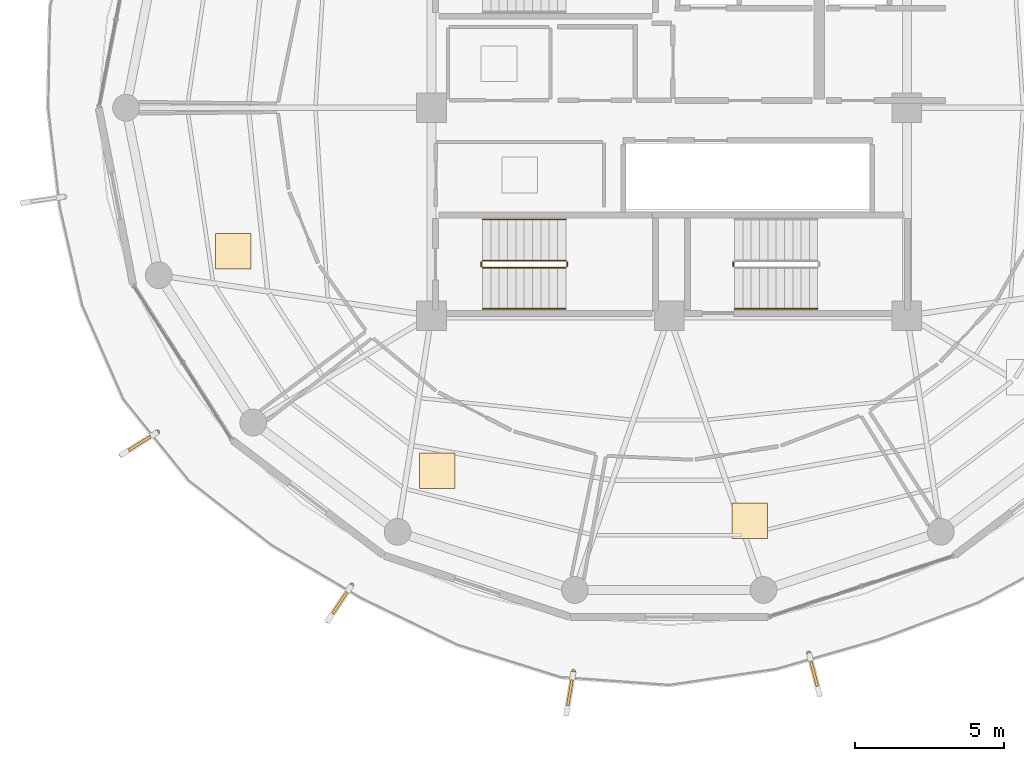
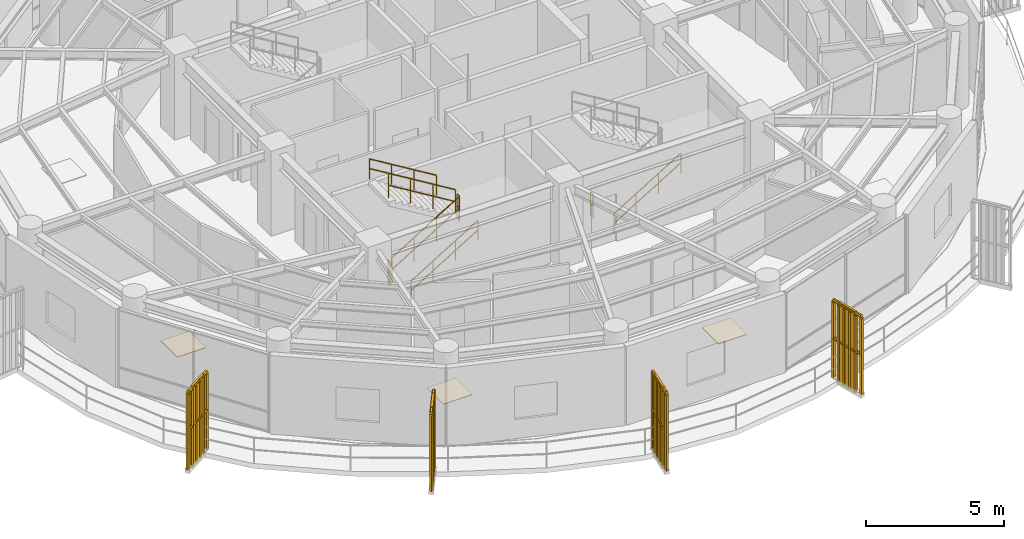
# One storey, part 19 of 22: 12 railings, 4 shading devices, 3 coverings.
"""IFC4 building model written with IfcOpenShell, lengths in metres."""

from ifc_helpers import new_model, si_unit, direction, frame, origin, origin_2d, place, context, subcontext, project, spatial, polyline, rectangle, outline, extrude, source, transform, mapped, material, layer, layer_set, type_object, element, save


model = new_model("IFC4")

# Units and contexts
model_context = context("Model", 3, precision=1e-05, world=origin(), true_north=direction((0.0, 1.0)))
body_context = subcontext(model_context, "Body", "Model", "MODEL_VIEW")
ifc_project = project(units=[si_unit("LENGTHUNIT", "METRE"), si_unit("AREAUNIT", "SQUARE_METRE"), si_unit("VOLUMEUNIT", "CUBIC_METRE"), si_unit("PLANEANGLEUNIT", "RADIAN"), si_unit("MASSUNIT", "GRAM", prefix="KILO")], contexts=[model_context])

# Site, building, storey
site_placement = place(None, origin())
site = spatial("IfcSite", under=ifc_project, at=site_placement, CompositionType="ELEMENT")
building_placement = place(site_placement, origin())
building = spatial("IfcBuilding", under=site, at=building_placement, Name="Kelanora Arch Commons", CompositionType="ELEMENT")
storey_placement = place(building_placement, frame((0.0, 0.0, 263.699951171875)))
storey = spatial("IfcBuildingStorey", under=building, at=storey_placement, Name="L67", CompositionType="ELEMENT", Elevation=263.699951171875)

# Railings
ifc_material_1 = material(Name="Anodised bronze vertical shading fin rib assembly")
railing_type_1 = type_object("IfcRailingType", Name="RAIL-FIN-BRZ", PredefinedType="BALUSTRADE", material=ifc_material_1)
railing_1_placement = place(storey_placement, frame((56.7861328125, 47.089599609375, -0.02001953125)))
element("IfcRailing", 1, at=railing_1_placement, inside=storey, type_object=railing_type_1, Name="Sweeping Bronze Vertical Fin Blade L67-10", PredefinedType="BALUSTRADE", context=body_context, shape_type="SweptSolid", body=[
    extrude(outline(polyline([(0.06982421875, 0.0), (0.034912109375, 0.060546875), (-0.034912109375, 0.060546875), (-0.06982421875, 0.0), (-0.034912109375, -0.060546875), (0.034912109375, -0.060546875), (0.06982421875, 0.0)])), frame((0.0, 0.0, 3.419921875), z_axis=(-0.844653752886, -0.535313027803, 0.0), x_axis=(0.535313027803, -0.844653752886, 0.0)), (0.0, 0.0, 1.0), 1.44677734375),
    extrude(outline(polyline([(0.06982421875, 0.0), (0.034912109375, 0.060546875), (-0.034912109375, 0.060546875), (-0.06982421875, 0.0), (-0.034912109375, -0.060546875), (0.034912109375, -0.060546875), (0.06982421875, 0.0)])), frame((0.0, 0.0, 1.7451171875), z_axis=(-0.844653752886, -0.535313027803, 0.0), x_axis=(0.535313027803, -0.844653752886, 0.0)), (0.0, 0.0, 1.0), 1.44677734375),
    extrude(outline(polyline([(0.080078125, 0.0), (0.0400390625, 0.0693359375), (-0.0400390625, 0.0693359375), (-0.080078125, 0.0), (-0.0400390625, -0.0693359375), (0.0400390625, -0.0693359375), (0.080078125, 0.0)])), origin(), (0.0, 0.0, 1.0), 3.35009765625),
    extrude(outline(polyline([(0.080078125, 0.0), (0.0400390625, 0.0693359375), (-0.0400390625, 0.0693359375), (-0.080078125, 0.0), (-0.0400390625, -0.0693359375), (0.0400390625, -0.0693359375), (0.080078125, 0.0)])), frame((-0.244384765625, -0.15478515625, 0.0)), (0.0, 0.0, 1.0), 3.35009765625),
    extrude(outline(polyline([(0.080078125, 0.0), (0.0400390625, 0.0693359375), (-0.0400390625, 0.0693359375), (-0.080078125, 0.0), (-0.0400390625, -0.0693359375), (0.0400390625, -0.0693359375), (0.080078125, 0.0)])), frame((-0.48876953125, -0.309814453125, 0.0)), (0.0, 0.0, 1.0), 3.35009765625),
    extrude(outline(polyline([(0.080078125, 0.0), (0.0400390625, 0.0693359375), (-0.0400390625, 0.0693359375), (-0.080078125, 0.0), (-0.0400390625, -0.0693359375), (0.0400390625, -0.0693359375), (0.080078125, 0.0)])), frame((-0.733154296875, -0.464599609375, 0.0)), (0.0, 0.0, 1.0), 3.35009765625),
    extrude(outline(polyline([(0.080078125, 0.0), (0.0400390625, 0.0693359375), (-0.0400390625, 0.0693359375), (-0.080078125, 0.0), (-0.0400390625, -0.0693359375), (0.0400390625, -0.0693359375), (0.080078125, 0.0)])), frame((-0.9775390625, -0.61962890625, 0.0)), (0.0, 0.0, 1.0), 3.35009765625),
    extrude(outline(polyline([(0.080078125, 0.0), (0.0400390625, 0.0693359375), (-0.0400390625, 0.0693359375), (-0.080078125, 0.0), (-0.0400390625, -0.0693359375), (0.0400390625, -0.0693359375), (0.080078125, 0.0)])), frame((-1.221923828125, -0.7744140625, 0.0)), (0.0, 0.0, 1.0), 3.35009765625),
])
railing_2_placement = place(storey_placement, frame((63.314453125, 41.93701171875, -0.02001953125)))
element("IfcRailing", 2, at=railing_2_placement, inside=storey, type_object=railing_type_1, Name="Sweeping Bronze Vertical Fin Blade L67-11", PredefinedType="BALUSTRADE", context=body_context, shape_type="SweptSolid", body=[
    extrude(outline(polyline([(0.06982421875, 0.0), (0.034912109375, 0.060546875), (-0.034912109375, 0.060546875), (-0.06982421875, 0.0), (-0.034912109375, -0.060546875), (0.034912109375, -0.060546875), (0.06982421875, 0.0)])), frame((0.0, 0.0, 3.419921875), z_axis=(-0.553843162643, -0.832621012943, 0.0), x_axis=(0.832621012943, -0.553843162643, 0.0)), (0.0, 0.0, 1.0), 1.44677734375),
    extrude(outline(polyline([(0.06982421875, 0.0), (0.034912109375, 0.060546875), (-0.034912109375, 0.060546875), (-0.06982421875, 0.0), (-0.034912109375, -0.060546875), (0.034912109375, -0.060546875), (0.06982421875, 0.0)])), frame((0.0, 0.0, 1.7451171875), z_axis=(-0.553843162643, -0.832621012943, 0.0), x_axis=(0.832621012943, -0.553843162643, 0.0)), (0.0, 0.0, 1.0), 1.44677734375),
    extrude(outline(polyline([(0.080078125, 0.0), (0.0400390625, 0.0693359375), (-0.0400390625, 0.0693359375), (-0.080078125, 0.0), (-0.0400390625, -0.0693359375), (0.0400390625, -0.0693359375), (0.080078125, 0.0)])), origin(), (0.0, 0.0, 1.0), 3.35009765625),
    extrude(outline(polyline([(0.080078125, 0.0), (0.0400390625, 0.0693359375), (-0.0400390625, 0.0693359375), (-0.080078125, 0.0), (-0.0400390625, -0.0693359375), (0.0400390625, -0.0693359375), (0.080078125, 0.0)])), frame((-0.16015625, -0.240966796875, 0.0)), (0.0, 0.0, 1.0), 3.35009765625),
    extrude(outline(polyline([(0.080078125, 0.0), (0.0400390625, 0.0693359375), (-0.0400390625, 0.0693359375), (-0.080078125, 0.0), (-0.0400390625, -0.0693359375), (0.0400390625, -0.0693359375), (0.080078125, 0.0)])), frame((-0.320556640625, -0.48193359375, 0.0)), (0.0, 0.0, 1.0), 3.35009765625),
    extrude(outline(polyline([(0.080078125, 0.0), (0.0400390625, 0.0693359375), (-0.0400390625, 0.0693359375), (-0.080078125, 0.0), (-0.0400390625, -0.0693359375), (0.0400390625, -0.0693359375), (0.080078125, 0.0)])), frame((-0.480712890625, -0.72265625, 0.0)), (0.0, 0.0, 1.0), 3.35009765625),
    extrude(outline(polyline([(0.080078125, 0.0), (0.0400390625, 0.0693359375), (-0.0400390625, 0.0693359375), (-0.080078125, 0.0), (-0.0400390625, -0.0693359375), (0.0400390625, -0.0693359375), (0.080078125, 0.0)])), frame((-0.64111328125, -0.963623046875, 0.0)), (0.0, 0.0, 1.0), 3.35009765625),
    extrude(outline(polyline([(0.080078125, 0.0), (0.0400390625, 0.0693359375), (-0.0400390625, 0.0693359375), (-0.080078125, 0.0), (-0.0400390625, -0.0693359375), (0.0400390625, -0.0693359375), (0.080078125, 0.0)])), frame((-0.80126953125, -1.20458984375, 0.0)), (0.0, 0.0, 1.0), 3.35009765625),
])
railing_3_placement = place(storey_placement, frame((70.77880859375, 39.021728515625, -0.02001953125)))
element("IfcRailing", 3, at=railing_3_placement, inside=storey, type_object=railing_type_1, Name="Sweeping Bronze Vertical Fin Blade L67-12", PredefinedType="BALUSTRADE", context=body_context, shape_type="SweptSolid", body=[
    extrude(outline(polyline([(0.06982421875, 0.0), (0.034912109375, 0.060546875), (-0.034912109375, 0.060546875), (-0.06982421875, 0.0), (-0.034912109375, -0.060546875), (0.034912109375, -0.060546875), (0.06982421875, 0.0)])), frame((0.0, 0.0, 3.419921875), z_axis=(-0.167244473926, -0.985915455778, 0.0), x_axis=(0.985915455778, -0.167244473926, 0.0)), (0.0, 0.0, 1.0), 1.446533203125),
    extrude(outline(polyline([(0.06982421875, 0.0), (0.034912109375, 0.060546875), (-0.034912109375, 0.060546875), (-0.06982421875, 0.0), (-0.034912109375, -0.060546875), (0.034912109375, -0.060546875), (0.06982421875, 0.0)])), frame((0.0, 0.0, 1.7451171875), z_axis=(-0.167244473926, -0.985915455778, 0.0), x_axis=(0.985915455778, -0.167244473926, 0.0)), (0.0, 0.0, 1.0), 1.446533203125),
    extrude(outline(polyline([(0.080078125, 0.0), (0.0400390625, 0.0693359375), (-0.0400390625, 0.0693359375), (-0.080078125, 0.0), (-0.0400390625, -0.0693359375), (0.0400390625, -0.0693359375), (0.080078125, 0.0)])), origin(), (0.0, 0.0, 1.0), 3.35009765625),
    extrude(outline(polyline([(0.080078125, 0.0), (0.0400390625, 0.0693359375), (-0.0400390625, 0.0693359375), (-0.080078125, 0.0), (-0.0400390625, -0.0693359375), (0.0400390625, -0.0693359375), (0.080078125, 0.0)])), frame((-0.04833984375, -0.28515625, 0.0)), (0.0, 0.0, 1.0), 3.35009765625),
    extrude(outline(polyline([(0.080078125, 0.0), (0.0400390625, 0.0693359375), (-0.0400390625, 0.0693359375), (-0.080078125, 0.0), (-0.0400390625, -0.0693359375), (0.0400390625, -0.0693359375), (0.080078125, 0.0)])), frame((-0.0966796875, -0.570556640625, 0.0)), (0.0, 0.0, 1.0), 3.35009765625),
    extrude(outline(polyline([(0.080078125, 0.0), (0.0400390625, 0.0693359375), (-0.0400390625, 0.0693359375), (-0.080078125, 0.0), (-0.0400390625, -0.0693359375), (0.0400390625, -0.0693359375), (0.080078125, 0.0)])), frame((-0.145263671875, -0.855712890625, 0.0)), (0.0, 0.0, 1.0), 3.35009765625),
    extrude(outline(polyline([(0.080078125, 0.0), (0.0400390625, 0.0693359375), (-0.0400390625, 0.0693359375), (-0.080078125, 0.0), (-0.0400390625, -0.0693359375), (0.0400390625, -0.0693359375), (0.080078125, 0.0)])), frame((-0.193603515625, -1.14111328125, 0.0)), (0.0, 0.0, 1.0), 3.35009765625),
    extrude(outline(polyline([(0.080078125, 0.0), (0.0400390625, 0.0693359375), (-0.0400390625, 0.0693359375), (-0.080078125, 0.0), (-0.0400390625, -0.0693359375), (0.0400390625, -0.0693359375), (0.080078125, 0.0)])), frame((-0.241943359375, -1.42626953125, 0.0)), (0.0, 0.0, 1.0), 3.35009765625),
])
railing_4_placement = place(storey_placement, frame((78.7001953125, 39.650146484375, -0.02001953125)))
element("IfcRailing", 4, at=railing_4_placement, inside=storey, type_object=railing_type_1, Name="Sweeping Bronze Vertical Fin Blade L67-13", PredefinedType="BALUSTRADE", context=body_context, shape_type="SweptSolid", body=[
    extrude(outline(polyline([(0.06982421875, 0.0), (0.034912109375, 0.060546875), (-0.034912109375, 0.060546875), (-0.06982421875, 0.0), (-0.034912109375, -0.060546875), (0.034912109375, -0.060546875), (0.06982421875, 0.0)])), frame((0.0, 0.0, 3.419921875), z_axis=(0.248050552444, -0.968747089509, 0.0), x_axis=(0.968747089509, 0.248050552444, 0.0)), (0.0, 0.0, 1.0), 1.44677734375),
    extrude(outline(polyline([(0.06982421875, 0.0), (0.034912109375, 0.060546875), (-0.034912109375, 0.060546875), (-0.06982421875, 0.0), (-0.034912109375, -0.060546875), (0.034912109375, -0.060546875), (0.06982421875, 0.0)])), frame((0.0, 0.0, 1.7451171875), z_axis=(0.248050552444, -0.968747089509, 0.0), x_axis=(0.968747089509, 0.248050552444, 0.0)), (0.0, 0.0, 1.0), 1.44677734375),
    extrude(outline(polyline([(0.080078125, 0.0), (0.0400390625, 0.0693359375), (-0.0400390625, 0.0693359375), (-0.080078125, 0.0), (-0.0400390625, -0.0693359375), (0.0400390625, -0.0693359375), (0.080078125, 0.0)])), origin(), (0.0, 0.0, 1.0), 3.35009765625),
    extrude(outline(polyline([(0.080078125, 0.0), (0.0400390625, 0.0693359375), (-0.0400390625, 0.0693359375), (-0.080078125, 0.0), (-0.0400390625, -0.0693359375), (0.0400390625, -0.0693359375), (0.080078125, 0.0)])), frame((0.07177734375, -0.2802734375, 0.0)), (0.0, 0.0, 1.0), 3.35009765625),
    extrude(outline(polyline([(0.080078125, 0.0), (0.0400390625, 0.0693359375), (-0.0400390625, 0.0693359375), (-0.080078125, 0.0), (-0.0400390625, -0.0693359375), (0.0400390625, -0.0693359375), (0.080078125, 0.0)])), frame((0.1435546875, -0.560546875, 0.0)), (0.0, 0.0, 1.0), 3.35009765625),
    extrude(outline(polyline([(0.080078125, 0.0), (0.0400390625, 0.0693359375), (-0.0400390625, 0.0693359375), (-0.080078125, 0.0), (-0.0400390625, -0.0693359375), (0.0400390625, -0.0693359375), (0.080078125, 0.0)])), frame((0.21533203125, -0.841064453125, 0.0)), (0.0, 0.0, 1.0), 3.35009765625),
    extrude(outline(polyline([(0.080078125, 0.0), (0.0400390625, 0.0693359375), (-0.0400390625, 0.0693359375), (-0.080078125, 0.0), (-0.0400390625, -0.0693359375), (0.0400390625, -0.0693359375), (0.080078125, 0.0)])), frame((0.287109375, -1.121337890625, 0.0)), (0.0, 0.0, 1.0), 3.35009765625),
    extrude(outline(polyline([(0.080078125, 0.0), (0.0400390625, 0.0693359375), (-0.0400390625, 0.0693359375), (-0.080078125, 0.0), (-0.0400390625, -0.0693359375), (0.0400390625, -0.0693359375), (0.080078125, 0.0)])), frame((0.35888671875, -1.401611328125, 0.0)), (0.0, 0.0, 1.0), 3.35009765625),
])
ifc_material_2 = material(Name="Painted steel stair well guard", Category="steel")
railing_type_2 = type_object("IfcRailingType", Name="RAIL-STAIR-GRD", PredefinedType="GUARDRAIL", material=ifc_material_2)
railing_5_placement = place(storey_placement, frame((76.14990234375, 52.659912109375, 0.0)))
element("IfcRailing", 5, at=railing_5_placement, inside=storey, type_object=railing_type_2, Name="L67 ST-T2 stair guard 4", PredefinedType="GUARDRAIL", context=body_context, shape_type="SweptSolid", body=[
    extrude(outline(polyline([(0.02392578125, 0.0), (0.011962890625, 0.020751953125), (-0.011962890625, 0.020751953125), (-0.02392578125, 0.0), (-0.011962890625, -0.020751953125), (0.011962890625, -0.020751953125), (0.02392578125, 0.0)])), frame((0.0, 0.0, 1.076171875), z_axis=(0.0, 1.0, 0.0), x_axis=(-1.0, 0.0, 0.0)), (0.0, 0.0, 1.0), 0.150146484375),
    extrude(outline(polyline([(0.02392578125, 0.0), (0.011962890625, 0.020751953125), (-0.011962890625, 0.020751953125), (-0.02392578125, 0.0), (-0.011962890625, -0.020751953125), (0.011962890625, -0.020751953125), (0.02392578125, 0.0)])), frame((0.0, 0.0, 0.550048828125), z_axis=(0.0, 1.0, 0.0), x_axis=(-1.0, 0.0, 0.0)), (0.0, 0.0, 1.0), 0.150146484375),
    extrude(outline(polyline([(0.02099609375, 0.0), (0.010498046875, 0.01806640625), (-0.010498046875, 0.01806640625), (-0.02099609375, 0.0), (-0.010498046875, -0.01806640625), (0.010498046875, -0.01806640625), (0.02099609375, 0.0)])), origin(), (0.0, 0.0, 1.0), 1.052001953125),
    extrude(outline(polyline([(0.02099609375, 0.0), (0.010498046875, 0.01806640625), (-0.010498046875, 0.01806640625), (-0.02099609375, 0.0), (-0.010498046875, -0.01806640625), (0.010498046875, -0.01806640625), (0.02099609375, 0.0)])), frame((0.0, 0.150146484375, 0.0)), (0.0, 0.0, 1.0), 1.052001953125),
])
railing_6_placement = place(storey_placement, frame((67.719970703125, 52.610107421875, 0.17041015625)))
element("IfcRailing", 6, at=railing_6_placement, inside=storey, type_object=railing_type_2, Name="L67 ST-T3 stair guard 1", PredefinedType="GUARDRAIL", context=body_context, shape_type="SweptSolid", body=[
    extrude(outline(polyline([(0.02392578125, 0.0), (0.011962890625, 0.020751953125), (-0.011962890625, 0.020751953125), (-0.02392578125, 0.0), (-0.011962890625, -0.020751953125), (0.011962890625, -0.020751953125), (0.02392578125, 0.0)])), frame((0.0, 0.0, 1.076171875), z_axis=(0.854169791009, 0.0, 0.51999420009), x_axis=(0.0, 1.0, 0.0)), (0.0, 0.0, 1.0), 3.278076171875),
    extrude(outline(polyline([(0.02392578125, 0.0), (0.011962890625, 0.020751953125), (-0.011962890625, 0.020751953125), (-0.02392578125, 0.0), (-0.011962890625, -0.020751953125), (0.011962890625, -0.020751953125), (0.02392578125, 0.0)])), frame((0.0, 0.0, 0.550048828125), z_axis=(0.854169791009, 0.0, 0.51999420009), x_axis=(0.0, 1.0, 0.0)), (0.0, 0.0, 1.0), 3.278076171875),
    extrude(outline(polyline([(0.02099609375, 0.0), (0.010498046875, 0.01806640625), (-0.010498046875, 0.01806640625), (-0.02099609375, 0.0), (-0.010498046875, -0.01806640625), (0.010498046875, -0.01806640625), (0.02099609375, 0.0)])), origin(), (0.0, 0.0, 1.0), 1.052001953125),
    extrude(outline(polyline([(0.02099609375, 0.0), (0.010498046875, 0.01806640625), (-0.010498046875, 0.01806640625), (-0.02099609375, 0.0), (-0.010498046875, -0.01806640625), (0.010498046875, -0.01806640625), (0.02099609375, 0.0)])), frame((0.933349609375, 0.0, 0.568115234375)), (0.0, 0.0, 1.0), 1.052001953125),
    extrude(outline(polyline([(0.02099609375, 0.0), (0.010498046875, 0.01806640625), (-0.010498046875, 0.01806640625), (-0.02099609375, 0.0), (-0.010498046875, -0.01806640625), (0.010498046875, -0.01806640625), (0.02099609375, 0.0)])), frame((1.86669921875, 0.0, 1.136474609375)), (0.0, 0.0, 1.0), 1.052001953125),
    extrude(outline(polyline([(0.02099609375, 0.0), (0.010498046875, 0.01806640625), (-0.010498046875, 0.01806640625), (-0.02099609375, 0.0), (-0.010498046875, -0.01806640625), (0.010498046875, -0.01806640625), (0.02099609375, 0.0)])), frame((2.800048828125, 0.0, 1.70458984375)), (0.0, 0.0, 1.0), 1.052001953125),
])
railing_7_placement = place(storey_placement, frame((70.570068359375, 52.659912109375, 1.875)))
element("IfcRailing", 7, at=railing_7_placement, inside=storey, type_object=railing_type_2, Name="L67 ST-T3 stair guard 2", PredefinedType="GUARDRAIL", context=body_context, shape_type="SweptSolid", body=[
    extrude(outline(polyline([(0.02392578125, 0.0), (0.011962890625, 0.020751953125), (-0.011962890625, 0.020751953125), (-0.02392578125, 0.0), (-0.011962890625, -0.020751953125), (0.011962890625, -0.020751953125), (0.02392578125, 0.0)])), frame((0.0, 0.0, 1.076171875), z_axis=(0.0, 1.0, 0.0), x_axis=(-1.0, 0.0, 0.0)), (0.0, 0.0, 1.0), 0.150146484375),
    extrude(outline(polyline([(0.02392578125, 0.0), (0.011962890625, 0.020751953125), (-0.011962890625, 0.020751953125), (-0.02392578125, 0.0), (-0.011962890625, -0.020751953125), (0.011962890625, -0.020751953125), (0.02392578125, 0.0)])), frame((0.0, 0.0, 0.550048828125), z_axis=(0.0, 1.0, 0.0), x_axis=(-1.0, 0.0, 0.0)), (0.0, 0.0, 1.0), 0.150146484375),
    extrude(outline(polyline([(0.02099609375, 0.0), (0.010498046875, 0.01806640625), (-0.010498046875, 0.01806640625), (-0.02099609375, 0.0), (-0.010498046875, -0.01806640625), (0.010498046875, -0.01806640625), (0.02099609375, 0.0)])), origin(), (0.0, 0.0, 1.0), 1.052001953125),
    extrude(outline(polyline([(0.02099609375, 0.0), (0.010498046875, 0.01806640625), (-0.010498046875, 0.01806640625), (-0.02099609375, 0.0), (-0.010498046875, -0.01806640625), (0.010498046875, -0.01806640625), (0.02099609375, 0.0)])), frame((0.0, 0.150146484375, 0.0)), (0.0, 0.0, 1.0), 1.052001953125),
])
railing_8_placement = place(storey_placement, frame((70.52001953125, 52.860107421875, 2.04541015625)))
element("IfcRailing", 8, at=railing_8_placement, inside=storey, type_object=railing_type_2, Name="L67 ST-T3 stair guard 3", PredefinedType="GUARDRAIL", context=body_context, shape_type="SweptSolid", body=[
    extrude(outline(polyline([(0.02392578125, 0.0), (0.011962890625, 0.020751953125), (-0.011962890625, 0.020751953125), (-0.02392578125, 0.0), (-0.011962890625, -0.020751953125), (0.011962890625, -0.020751953125), (0.02392578125, 0.0)])), frame((0.0, 0.0, 1.076171875), z_axis=(-0.854169791009, 0.0, 0.51999420009), x_axis=(0.0, -1.0, 0.0)), (0.0, 0.0, 1.0), 3.278076171875),
    extrude(outline(polyline([(0.02392578125, 0.0), (0.011962890625, 0.020751953125), (-0.011962890625, 0.020751953125), (-0.02392578125, 0.0), (-0.011962890625, -0.020751953125), (0.011962890625, -0.020751953125), (0.02392578125, 0.0)])), frame((0.0, 0.0, 0.550048828125), z_axis=(-0.854169791009, 0.0, 0.51999420009), x_axis=(0.0, -1.0, 0.0)), (0.0, 0.0, 1.0), 3.278076171875),
    extrude(outline(polyline([(0.02099609375, 0.0), (0.010498046875, 0.01806640625), (-0.010498046875, 0.01806640625), (-0.02099609375, 0.0), (-0.010498046875, -0.01806640625), (0.010498046875, -0.01806640625), (0.02099609375, 0.0)])), origin(), (0.0, 0.0, 1.0), 1.052001953125),
    extrude(outline(polyline([(0.02099609375, 0.0), (0.010498046875, 0.01806640625), (-0.010498046875, 0.01806640625), (-0.02099609375, 0.0), (-0.010498046875, -0.01806640625), (0.010498046875, -0.01806640625), (0.02099609375, 0.0)])), frame((-0.933349609375, 0.0, 0.568115234375)), (0.0, 0.0, 1.0), 1.052001953125),
    extrude(outline(polyline([(0.02099609375, 0.0), (0.010498046875, 0.01806640625), (-0.010498046875, 0.01806640625), (-0.02099609375, 0.0), (-0.010498046875, -0.01806640625), (0.010498046875, -0.01806640625), (0.02099609375, 0.0)])), frame((-1.86669921875, 0.0, 1.136474609375)), (0.0, 0.0, 1.0), 1.052001953125),
    extrude(outline(polyline([(0.02099609375, 0.0), (0.010498046875, 0.01806640625), (-0.010498046875, 0.01806640625), (-0.02099609375, 0.0), (-0.010498046875, -0.01806640625), (0.010498046875, -0.01806640625), (0.02099609375, 0.0)])), frame((-2.800048828125, 0.0, 1.70458984375)), (0.0, 0.0, 1.0), 1.052001953125),
])
railing_9_placement = place(storey_placement, frame((67.669921875, 52.659912109375, 0.0)))
element("IfcRailing", 9, at=railing_9_placement, inside=storey, type_object=railing_type_2, Name="L67 ST-T3 stair guard 4", PredefinedType="GUARDRAIL", context=body_context, shape_type="SweptSolid", body=[
    extrude(outline(polyline([(0.02392578125, 0.0), (0.011962890625, 0.020751953125), (-0.011962890625, 0.020751953125), (-0.02392578125, 0.0), (-0.011962890625, -0.020751953125), (0.011962890625, -0.020751953125), (0.02392578125, 0.0)])), frame((0.0, 0.0, 1.076171875), z_axis=(0.0, 1.0, 0.0), x_axis=(-1.0, 0.0, 0.0)), (0.0, 0.0, 1.0), 0.150146484375),
    extrude(outline(polyline([(0.02392578125, 0.0), (0.011962890625, 0.020751953125), (-0.011962890625, 0.020751953125), (-0.02392578125, 0.0), (-0.011962890625, -0.020751953125), (0.011962890625, -0.020751953125), (0.02392578125, 0.0)])), frame((0.0, 0.0, 0.550048828125), z_axis=(0.0, 1.0, 0.0), x_axis=(-1.0, 0.0, 0.0)), (0.0, 0.0, 1.0), 0.150146484375),
    extrude(outline(polyline([(0.02099609375, 0.0), (0.010498046875, 0.01806640625), (-0.010498046875, 0.01806640625), (-0.02099609375, 0.0), (-0.010498046875, -0.01806640625), (0.010498046875, -0.01806640625), (0.02099609375, 0.0)])), origin(), (0.0, 0.0, 1.0), 1.052001953125),
    extrude(outline(polyline([(0.02099609375, 0.0), (0.010498046875, 0.01806640625), (-0.010498046875, 0.01806640625), (-0.02099609375, 0.0), (-0.010498046875, -0.01806640625), (0.010498046875, -0.01806640625), (0.02099609375, 0.0)])), frame((0.0, 0.150146484375, 0.0)), (0.0, 0.0, 1.0), 1.052001953125),
])
ifc_material_3 = material(Name="Brushed stainless steel stair handrail", Category="steel")
railing_type_3 = type_object("IfcRailingType", Name="RAIL-STAIR-HND", PredefinedType="HANDRAIL", material=ifc_material_3)
railing_10_placement = place(storey_placement, frame((76.199951171875, 51.22998046875, 0.17041015625)))
element("IfcRailing", 10, at=railing_10_placement, inside=storey, type_object=railing_type_3, Name="L67 ST-T2 stair handrail 1", PredefinedType="HANDRAIL", context=body_context, shape_type="SweptSolid", body=[
    extrude(outline(polyline([(0.02392578125, 0.0), (0.011962890625, 0.020751953125), (-0.011962890625, 0.020751953125), (-0.02392578125, 0.0), (-0.011962890625, -0.020751953125), (0.011962890625, -0.020751953125), (0.02392578125, 0.0)])), frame((0.0, 0.0, 0.8759765625), z_axis=(0.854169791009, 0.0, 0.51999420009), x_axis=(0.0, 1.0, 0.0)), (0.0, 0.0, 1.0), 3.278076171875),
    extrude(outline(polyline([(0.02392578125, 0.0), (0.011962890625, 0.020751953125), (-0.011962890625, 0.020751953125), (-0.02392578125, 0.0), (-0.011962890625, -0.020751953125), (0.011962890625, -0.020751953125), (0.02392578125, 0.0)])), frame((0.0, 0.0, 0.449951171875), z_axis=(0.854169791009, 0.0, 0.51999420009), x_axis=(0.0, 1.0, 0.0)), (0.0, 0.0, 1.0), 3.278076171875),
    extrude(outline(polyline([(0.02099609375, 0.0), (0.010498046875, 0.01806640625), (-0.010498046875, 0.01806640625), (-0.02099609375, 0.0), (-0.010498046875, -0.01806640625), (0.010498046875, -0.01806640625), (0.02099609375, 0.0)])), origin(), (0.0, 0.0, 1.0), 0.851806640625),
    extrude(outline(polyline([(0.02099609375, 0.0), (0.010498046875, 0.01806640625), (-0.010498046875, 0.01806640625), (-0.02099609375, 0.0), (-0.010498046875, -0.01806640625), (0.010498046875, -0.01806640625), (0.02099609375, 0.0)])), frame((0.933349609375, 0.0, 0.568115234375)), (0.0, 0.0, 1.0), 0.851806640625),
    extrude(outline(polyline([(0.02099609375, 0.0), (0.010498046875, 0.01806640625), (-0.010498046875, 0.01806640625), (-0.02099609375, 0.0), (-0.010498046875, -0.01806640625), (0.010498046875, -0.01806640625), (0.02099609375, 0.0)])), frame((1.86669921875, 0.0, 1.136474609375)), (0.0, 0.0, 1.0), 0.851806640625),
    extrude(outline(polyline([(0.02099609375, 0.0), (0.010498046875, 0.01806640625), (-0.010498046875, 0.01806640625), (-0.02099609375, 0.0), (-0.010498046875, -0.01806640625), (0.010498046875, -0.01806640625), (0.02099609375, 0.0)])), frame((2.800048828125, 0.0, 1.70458984375)), (0.0, 0.0, 1.0), 0.851806640625),
])
railing_11_placement = place(storey_placement, frame((67.719970703125, 51.22998046875, 0.17041015625)))
element("IfcRailing", 11, at=railing_11_placement, inside=storey, type_object=railing_type_3, Name="L67 ST-T3 stair handrail 1", PredefinedType="HANDRAIL", context=body_context, shape_type="SweptSolid", body=[
    extrude(outline(polyline([(0.02392578125, 0.0), (0.011962890625, 0.020751953125), (-0.011962890625, 0.020751953125), (-0.02392578125, 0.0), (-0.011962890625, -0.020751953125), (0.011962890625, -0.020751953125), (0.02392578125, 0.0)])), frame((0.0, 0.0, 0.8759765625), z_axis=(0.854169791009, 0.0, 0.51999420009), x_axis=(0.0, 1.0, 0.0)), (0.0, 0.0, 1.0), 3.278076171875),
    extrude(outline(polyline([(0.02392578125, 0.0), (0.011962890625, 0.020751953125), (-0.011962890625, 0.020751953125), (-0.02392578125, 0.0), (-0.011962890625, -0.020751953125), (0.011962890625, -0.020751953125), (0.02392578125, 0.0)])), frame((0.0, 0.0, 0.449951171875), z_axis=(0.854169791009, 0.0, 0.51999420009), x_axis=(0.0, 1.0, 0.0)), (0.0, 0.0, 1.0), 3.278076171875),
    extrude(outline(polyline([(0.02099609375, 0.0), (0.010498046875, 0.01806640625), (-0.010498046875, 0.01806640625), (-0.02099609375, 0.0), (-0.010498046875, -0.01806640625), (0.010498046875, -0.01806640625), (0.02099609375, 0.0)])), origin(), (0.0, 0.0, 1.0), 0.851806640625),
    extrude(outline(polyline([(0.02099609375, 0.0), (0.010498046875, 0.01806640625), (-0.010498046875, 0.01806640625), (-0.02099609375, 0.0), (-0.010498046875, -0.01806640625), (0.010498046875, -0.01806640625), (0.02099609375, 0.0)])), frame((0.933349609375, 0.0, 0.568115234375)), (0.0, 0.0, 1.0), 0.851806640625),
    extrude(outline(polyline([(0.02099609375, 0.0), (0.010498046875, 0.01806640625), (-0.010498046875, 0.01806640625), (-0.02099609375, 0.0), (-0.010498046875, -0.01806640625), (0.010498046875, -0.01806640625), (0.02099609375, 0.0)])), frame((1.86669921875, 0.0, 1.136474609375)), (0.0, 0.0, 1.0), 0.851806640625),
    extrude(outline(polyline([(0.02099609375, 0.0), (0.010498046875, 0.01806640625), (-0.010498046875, 0.01806640625), (-0.02099609375, 0.0), (-0.010498046875, -0.01806640625), (0.010498046875, -0.01806640625), (0.02099609375, 0.0)])), frame((2.800048828125, 0.0, 1.70458984375)), (0.0, 0.0, 1.0), 0.851806640625),
])
railing_12_placement = place(storey_placement, frame((70.52001953125, 54.239990234375, 2.04541015625)))
element("IfcRailing", 12, at=railing_12_placement, inside=storey, type_object=railing_type_3, Name="L67 ST-T3 stair handrail 2", PredefinedType="HANDRAIL", context=body_context, shape_type="SweptSolid", body=[
    extrude(outline(polyline([(0.02392578125, 0.0), (0.011962890625, 0.020751953125), (-0.011962890625, 0.020751953125), (-0.02392578125, 0.0), (-0.011962890625, -0.020751953125), (0.011962890625, -0.020751953125), (0.02392578125, 0.0)])), frame((0.0, 0.0, 0.8759765625), z_axis=(-0.854169791009, 0.0, 0.51999420009), x_axis=(0.0, -1.0, 0.0)), (0.0, 0.0, 1.0), 3.278076171875),
    extrude(outline(polyline([(0.02392578125, 0.0), (0.011962890625, 0.020751953125), (-0.011962890625, 0.020751953125), (-0.02392578125, 0.0), (-0.011962890625, -0.020751953125), (0.011962890625, -0.020751953125), (0.02392578125, 0.0)])), frame((0.0, 0.0, 0.449951171875), z_axis=(-0.854169791009, 0.0, 0.51999420009), x_axis=(0.0, -1.0, 0.0)), (0.0, 0.0, 1.0), 3.278076171875),
    extrude(outline(polyline([(0.02099609375, 0.0), (0.010498046875, 0.01806640625), (-0.010498046875, 0.01806640625), (-0.02099609375, 0.0), (-0.010498046875, -0.01806640625), (0.010498046875, -0.01806640625), (0.02099609375, 0.0)])), origin(), (0.0, 0.0, 1.0), 0.851806640625),
    extrude(outline(polyline([(0.02099609375, 0.0), (0.010498046875, 0.01806640625), (-0.010498046875, 0.01806640625), (-0.02099609375, 0.0), (-0.010498046875, -0.01806640625), (0.010498046875, -0.01806640625), (0.02099609375, 0.0)])), frame((-0.933349609375, 0.0, 0.568115234375)), (0.0, 0.0, 1.0), 0.851806640625),
    extrude(outline(polyline([(0.02099609375, 0.0), (0.010498046875, 0.01806640625), (-0.010498046875, 0.01806640625), (-0.02099609375, 0.0), (-0.010498046875, -0.01806640625), (0.010498046875, -0.01806640625), (0.02099609375, 0.0)])), frame((-1.86669921875, 0.0, 1.136474609375)), (0.0, 0.0, 1.0), 0.851806640625),
    extrude(outline(polyline([(0.02099609375, 0.0), (0.010498046875, 0.01806640625), (-0.010498046875, 0.01806640625), (-0.02099609375, 0.0), (-0.010498046875, -0.01806640625), (0.010498046875, -0.01806640625), (0.02099609375, 0.0)])), frame((-2.800048828125, 0.0, 1.70458984375)), (0.0, 0.0, 1.0), 0.851806640625),
])

# Shading devices
ifc_material_4 = material(Name="Terracotta ceramic-clad extruded aluminium fin", Category="masonry")
shading_device_type = type_object("IfcShadingDeviceType", Name="SHD-FIN-FLARE", PredefinedType="USERDEFINED", material=ifc_material_4)
shared_shape_1 = source(origin(), body_context, "Body", "SweptSolid", [
    extrude(rectangle(XDim=0.8798828125, YDim=0.090087890625, at=origin_2d()), origin(), (0.0, 0.0, 1.0), 3.610107421875),
])
for number, where, z_axis, x_axis, name in (
    (13, (56.177978515625, 46.7041015625, -0.14013671875), (0.0, 0.0, 1.0), (-0.844608368004, -0.535384632481, 0.0), "Sweeping Terracotta Fin L67-10"),
    (14, (62.915771484375, 41.337646484375, -0.14013671875), (0.0, 0.0, 1.0), (-0.553827589908, -0.832631371411, 0.0), "Sweeping Terracotta Fin L67-11"),
    (15, (70.658447265625, 38.31201171875, -0.14013671875), (0.0, 0.0, 1.0), (-0.16728499015, -0.985908582005, 0.0), "Sweeping Terracotta Fin L67-12"),
    (16, (78.87890625, 38.95263671875, -0.14013671875), (0.0, 0.0, 1.0), (0.248182704141, -0.968713242072, 0.0), "Sweeping Terracotta Fin L67-13"),
):
    element("IfcShadingDevice", number, at=place(storey_placement, frame(where, z_axis=z_axis, x_axis=x_axis)), inside=storey, type_object=shading_device_type, Name=name, ObjectType="FIN", PredefinedType="USERDEFINED", context=body_context, shape_type="MappedRepresentation", body=[
        mapped(shared_shape_1, transform((0.0, 0.0, 0.0), scale=1.0)),
    ])

# Coverings
ifc_material_5 = material(Name="Polished local granite terrazzo flooring", Category="masonry")
ifc_layer = layer(ifc_material_5, 0.030029296875)
ifc_layer_set = layer_set([ifc_layer], Name="Polished local granite terrazzo flooring")
covering_type = type_object("IfcCoveringType", Name="COV-FLR-TER", PredefinedType="FLOORING", material=ifc_layer_set)
shared_shape_2 = source(origin(), body_context, "Body", "SweptSolid", [
    extrude(rectangle(XDim=1.199951171875, YDim=1.199951171875, at=origin_2d()), origin(), (0.0, 0.0, 1.0), 0.030029296875),
])
for number, where, z_axis, x_axis, name in (
    (17, (59.330078125, 53.17431640625, 0.0), (0.0, 0.0, 1.0), (1.0, 0.0, 0.0), "Social Sky Lounge L67-04 Terrazzo Finish"),
    (18, (66.1943359375, 45.780517578125, 0.0), (0.0, 0.0, 1.0), (1.0, 0.0, 0.0), "Social Sky Lounge L67-05 Terrazzo Finish"),
    (19, (76.7109375, 44.1044921875, 0.0), (0.0, 0.0, 1.0), (1.0, 0.0, 0.0), "Quiet Seminar Study Room L67-06 Terrazzo Finish"),
):
    element("IfcCovering", number, at=place(storey_placement, frame(where, z_axis=z_axis, x_axis=x_axis)), inside=storey, type_object=covering_type, Name=name, PredefinedType="FLOORING", context=body_context, shape_type="MappedRepresentation", body=[
        mapped(shared_shape_2, transform((0.0, 0.0, 0.0), scale=1.0)),
    ])

save(model, "model.ifc")
